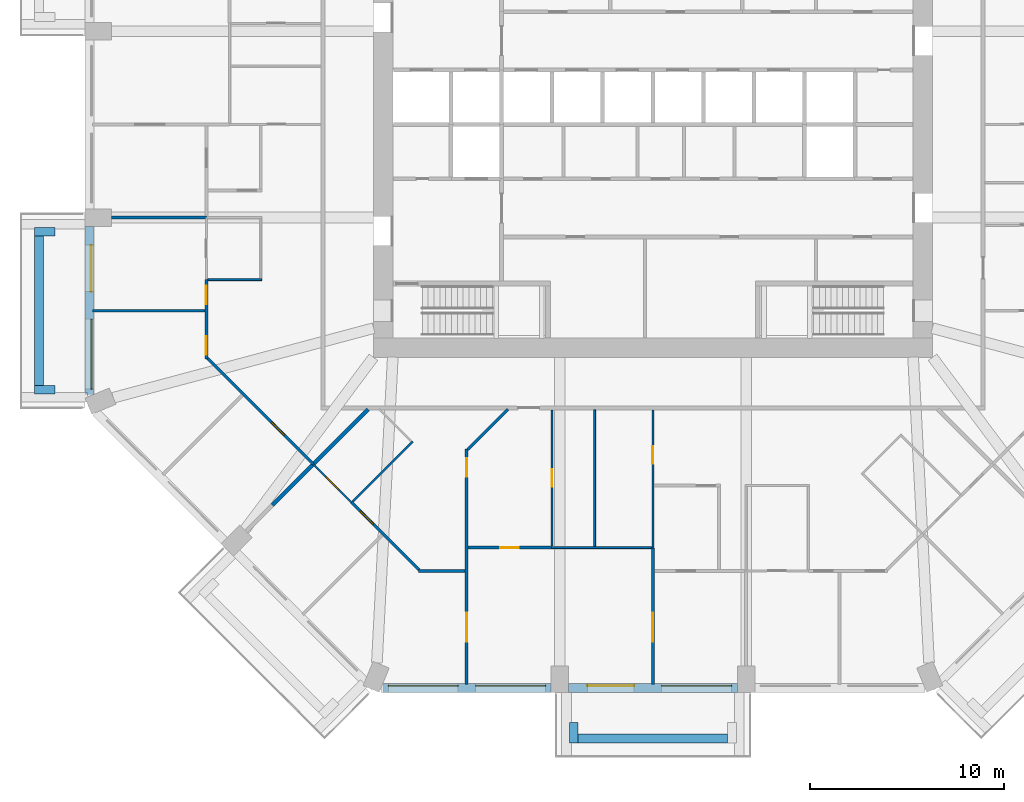
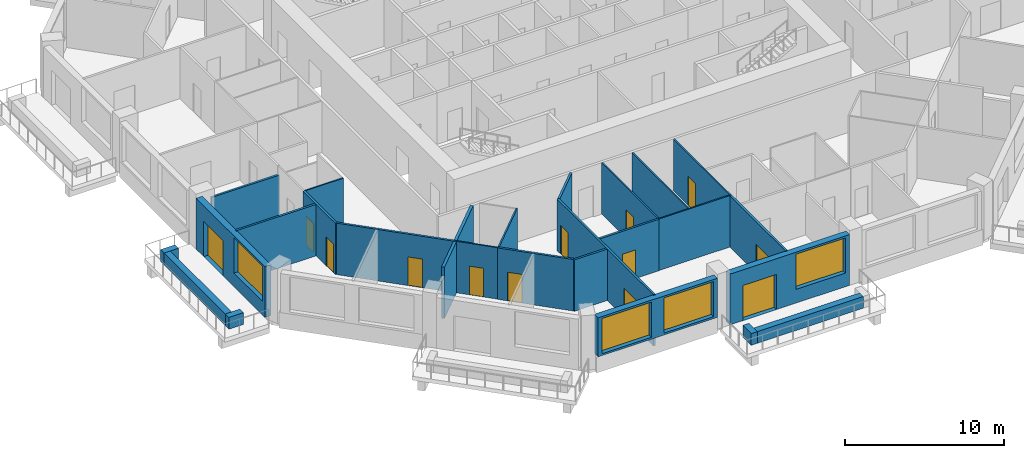
# One storey, part 3 of 13: 26 walls, 13 doors, 4 windows, 17 openings.
"""IFC4 building model written with IfcOpenShell, lengths in metres."""

from ifc_helpers import new_model, si_unit, direction, frame, frame_2d, origin, place, context, subcontext, project, spatial, rectangle, extrude, material, layer, layer_set, type_object, element, fill, save


model = new_model("IFC4")

# Units and contexts
model_context = context("Model", 3, precision=1e-05, world=origin(), true_north=direction((0.0, 1.0)))
body_context = subcontext(model_context, "Body", "Model", "MODEL_VIEW")
ifc_project = project(units=[si_unit("LENGTHUNIT", "METRE"), si_unit("AREAUNIT", "SQUARE_METRE"), si_unit("VOLUMEUNIT", "CUBIC_METRE"), si_unit("PLANEANGLEUNIT", "RADIAN"), si_unit("MASSUNIT", "GRAM", prefix="KILO")], contexts=[model_context])

# Site, building, storey
site_placement = place(None, origin())
site = spatial("IfcSite", under=ifc_project, at=site_placement, CompositionType="ELEMENT")
building_placement = place(site_placement, origin())
building = spatial("IfcBuilding", under=site, at=building_placement, Name="Msitu Wima Residences", CompositionType="ELEMENT")
storey_placement = place(building_placement, frame((0.0, 0.0, 33.89990234375)))
storey = spatial("IfcBuildingStorey", under=building, at=storey_placement, Name="L07", CompositionType="ELEMENT", Elevation=33.89990234375)

# Walls
ifc_material_1 = material(Name="Facing brick")
ifc_layer_1 = layer(ifc_material_1, 0.06494140625, Name="Facing brick")
ifc_material_2 = material(Name="Concrete C40/50", Category="concrete")
ifc_layer_2 = layer(ifc_material_2, 0.156005859375, Name="Concrete C40/50")
ifc_material_3 = material(Name="Waterproofing membrane")
ifc_layer_3 = layer(ifc_material_3, 0.00390625, Name="Waterproofing membrane")
ifc_material_4 = material(Name="Planting soil and planting")
ifc_layer_4 = layer(ifc_material_4, 0.22509765625, Name="Planting soil and planting")
ifc_layer_set_1 = layer_set([ifc_layer_1, ifc_layer_2, ifc_layer_3, ifc_layer_4], Name="Concrete C40/50")
wall_type_1 = type_object("IfcWallType", Name="Balcony planter PLANTER PL450", PredefinedType="USERDEFINED", material=ifc_layer_set_1)
wall_1_placement = place(storey_placement, frame((-31.625, -5.75, 0.0), z_axis=(0.0, 0.0, 1.0), x_axis=(0.0, -1.0, 0.0)))
element("IfcWall", 1, at=wall_1_placement, inside=storey, type_object=wall_type_1, Name="Balcony planter W2 L07", ObjectType="PLANTER", PredefinedType="USERDEFINED", context=body_context, shape_type="SweptSolid", body=[
    extrude(rectangle(XDim=7.699951171875, YDim=0.449951171875, at=frame_2d((3.85009765625, 0.0))), origin(), (0.0, 0.0, 1.0), 0.900146484375),
])
for number, where, z_axis, x_axis, name in (
    (2, (-30.800048828125, -5.52490234375, 0.0), (0.0, 0.0, 1.0), (-1.0, 0.0, 0.0), "Balcony planter W2 L07"),
    (3, (-30.800048828125, -13.675048828125, 0.0), (0.0, 0.0, 1.0), (-1.0, 0.0, 0.0), "Balcony planter W2 L07"),
):
    element("IfcWall", number, at=place(storey_placement, frame(where, z_axis=z_axis, x_axis=x_axis)), inside=storey, type_object=wall_type_1, Name=name, ObjectType="PLANTER", PredefinedType="USERDEFINED", context=body_context, shape_type="SweptSolid", body=[
        extrude(rectangle(XDim=1.050048828125, YDim=0.449951171875, at=frame_2d((0.52490234375, 0.0))), origin(), (0.0, 0.0, 1.0), 0.900146484375),
    ])
wall_2_placement = place(storey_placement, frame((-3.85009765625, -31.625, 0.0), z_axis=(0.0, 0.0, 1.0), x_axis=(1.0, 0.0, 0.0)))
element("IfcWall", 4, at=wall_2_placement, inside=storey, type_object=wall_type_1, Name="Balcony planter S1 L07", ObjectType="PLANTER", PredefinedType="USERDEFINED", context=body_context, shape_type="SweptSolid", body=[
    extrude(rectangle(XDim=7.7001953125, YDim=0.449951171875, at=frame_2d((3.85009765625, 0.0))), origin(), (0.0, 0.0, 1.0), 0.900146484375),
])
wall_3_placement = place(storey_placement, frame((-4.074951171875, -30.800048828125, 0.0), z_axis=(0.0, 0.0, 1.0), x_axis=(0.0, -1.0, 0.0)))
element("IfcWall", 5, at=wall_3_placement, inside=storey, type_object=wall_type_1, Name="Balcony planter S1 L07", ObjectType="PLANTER", PredefinedType="USERDEFINED", context=body_context, shape_type="SweptSolid", body=[
    extrude(rectangle(XDim=1.050048828125, YDim=0.449951171875, at=frame_2d((0.52490234375, 0.0))), origin(), (0.0, 0.0, 1.0), 0.900146484375),
])

# Wall, openings, door, window
ifc_material_5 = material(Name="Brick (red buff mix)", Category="masonry")
ifc_layer_5 = layer(ifc_material_5, 0.449951171875)
ifc_layer_set_2 = layer_set([ifc_layer_5], Name="Brick (red buff mix)")
wall_type_2 = type_object("IfcWallType", Name="Brick infill wall BW450", PredefinedType="SOLIDWALL", material=ifc_layer_set_2)
wall_4_placement = place(storey_placement, frame((-29.02490234375, -5.25, 0.0), z_axis=(0.0, 0.0, 1.0), x_axis=(0.0, -1.0, 0.0)))
wall_4 = element("IfcWall", 6, at=wall_4_placement, inside=storey, type_object=wall_type_2, Name="Brick infill wall L07 W2", PredefinedType="SOLIDWALL", context=body_context, shape_type="SweptSolid", body=[
    extrude(rectangle(XDim=8.662841796875, YDim=0.449951171875, at=frame_2d((4.33154296875, 0.0))), origin(), (0.0, 0.0, 1.0), 3.900146484375),
])
opening_1_placement = place(wall_4_placement, frame((0.9658203125, 0.0, 0.0)))
opening_1 = element("IfcOpeningElement", 7, at=opening_1_placement, cuts=wall_4, Name="Opening D05-07.010", PredefinedType="OPENING", context=body_context, shape_type="SweptSolid", body=[
    extrude(rectangle(XDim=2.39990234375, YDim=2.699951171875, at=frame_2d((1.199951171875, 1.35009765625))), frame((0.0, 0.23486328125, 0.0), z_axis=(0.0, -1.0, 0.0), x_axis=(1.0, 0.0, 0.0)), (0.0, 0.0, 1.0), 0.469970703125),
])
opening_2_placement = place(wall_4_placement, frame((4.781494140625, 0.0, 1.050048828125)))
opening_2 = element("IfcOpeningElement", 8, at=opening_2_placement, cuts=wall_4, Name="Opening W05-07.030", PredefinedType="OPENING", context=body_context, shape_type="SweptSolid", body=[
    extrude(rectangle(XDim=3.60009765625, YDim=2.699951171875, at=frame_2d((1.800048828125, 1.35009765625))), frame((0.0, 0.23486328125, 0.0), z_axis=(0.0, -1.0, 0.0), x_axis=(1.0, 0.0, 0.0)), (0.0, 0.0, 1.0), 0.469970703125),
])
ifc_material_6 = material(Name="Anodised aluminium, bronze finish, clear low-emissivity double glazing", Category="aluminium")
door_type_1 = type_object("IfcDoorType", Name="Balcony door D2400x2700", OperationType="SLIDING_TO_LEFT", PredefinedType="DOOR", material=ifc_material_6)
door_1_placement = place(opening_1_placement, origin())
door_1 = element("IfcDoor", 9, at=door_1_placement, inside=storey, type_object=door_type_1, Name="Balcony door L07 W2", OperationType="SINGLE_SWING_LEFT", OverallHeight=2.699951171875, OverallWidth=2.39990234375, PredefinedType="DOOR", context=body_context, shape_type="SweptSolid", body=[
    extrude(rectangle(XDim=2.39990234375, YDim=2.699951171875, at=frame_2d((1.199951171875, 1.35009765625))), frame((0.0, 0.1298828125, 0.0), z_axis=(0.0, -1.0, 0.0), x_axis=(1.0, 0.0, 0.0)), (0.0, 0.0, 1.0), 0.050048828125),
])
fill(opening_1, door_1)
window_type = type_object("IfcWindowType", Name="Window W3600x2700", PartitioningType="DOUBLE_PANEL_VERTICAL", PredefinedType="WINDOW", material=ifc_material_6)
window_1_placement = place(opening_2_placement, origin())
window_1 = element("IfcWindow", 10, at=window_1_placement, inside=storey, type_object=window_type, Name="Window L07 W2.2", OverallHeight=2.699951171875, OverallWidth=3.60009765625, PartitioningType="SINGLE_PANEL", PredefinedType="WINDOW", context=body_context, shape_type="SweptSolid", body=[
    extrude(rectangle(XDim=3.60009765625, YDim=2.699951171875, at=frame_2d((1.800048828125, 1.35009765625))), frame((0.0, 0.135009765625, 0.0), z_axis=(0.0, -1.0, 0.0), x_axis=(1.0, 0.0, 0.0)), (0.0, 0.0, 1.0), 0.06005859375),
])
fill(opening_2, window_1)

# Wall, openings, windows
wall_5_placement = place(storey_placement, frame((-13.912841796875, -29.02490234375, 0.900146484375), z_axis=(0.0, 0.0, 1.0), x_axis=(1.0, 0.0, 0.0)))
wall_5 = element("IfcWall", 11, at=wall_5_placement, inside=storey, type_object=wall_type_2, Name="Brick infill wall L07 S0", PredefinedType="SOLIDWALL", context=body_context, shape_type="SweptSolid", body=[
    extrude(rectangle(XDim=8.662841796875, YDim=0.449951171875, at=frame_2d((4.33154296875, 0.0))), origin(), (0.0, 0.0, 1.0), 3.0),
])
opening_3_placement = place(wall_5_placement, frame((0.281494140625, 0.0, 0.14990234375)))
opening_3 = element("IfcOpeningElement", 12, at=opening_3_placement, cuts=wall_5, Name="Opening W05-07.016", PredefinedType="OPENING", context=body_context, shape_type="SweptSolid", body=[
    extrude(rectangle(XDim=3.60009765625, YDim=2.699951171875, at=frame_2d((1.800048828125, 1.35009765625))), frame((0.0, 0.23486328125, 0.0), z_axis=(0.0, -1.0, 0.0), x_axis=(1.0, 0.0, 0.0)), (0.0, 0.0, 1.0), 0.469970703125),
])
opening_4_placement = place(wall_5_placement, frame((4.781494140625, 0.0, 0.14990234375)))
opening_4 = element("IfcOpeningElement", 13, at=opening_4_placement, cuts=wall_5, Name="Opening W05-07.017", PredefinedType="OPENING", context=body_context, shape_type="SweptSolid", body=[
    extrude(rectangle(XDim=3.60009765625, YDim=2.699951171875, at=frame_2d((1.800048828125, 1.35009765625))), frame((0.0, 0.23486328125, 0.0), z_axis=(0.0, -1.0, 0.0), x_axis=(1.0, 0.0, 0.0)), (0.0, 0.0, 1.0), 0.469970703125),
])
window_2_placement = place(opening_3_placement, origin())
window_2 = element("IfcWindow", 14, at=window_2_placement, inside=storey, type_object=window_type, Name="Window L07 S0.1", OverallHeight=2.699951171875, OverallWidth=3.60009765625, PartitioningType="SINGLE_PANEL", PredefinedType="WINDOW", context=body_context, shape_type="SweptSolid", body=[
    extrude(rectangle(XDim=3.60009765625, YDim=2.699951171875, at=frame_2d((1.800048828125, 1.35009765625))), frame((0.0, 0.135009765625, 0.0), z_axis=(0.0, -1.0, 0.0), x_axis=(1.0, 0.0, 0.0)), (0.0, 0.0, 1.0), 0.06005859375),
])
fill(opening_3, window_2)
window_3_placement = place(opening_4_placement, origin())
window_3 = element("IfcWindow", 15, at=window_3_placement, inside=storey, type_object=window_type, Name="Window L07 S0.2", OverallHeight=2.699951171875, OverallWidth=3.60009765625, PartitioningType="SINGLE_PANEL", PredefinedType="WINDOW", context=body_context, shape_type="SweptSolid", body=[
    extrude(rectangle(XDim=3.60009765625, YDim=2.699951171875, at=frame_2d((1.800048828125, 1.35009765625))), frame((0.0, 0.135009765625, 0.0), z_axis=(0.0, -1.0, 0.0), x_axis=(1.0, 0.0, 0.0)), (0.0, 0.0, 1.0), 0.06005859375),
])
fill(opening_4, window_3)

# Wall, openings, door, window
wall_6_placement = place(storey_placement, frame((-4.35009765625, -29.02490234375, 0.0), z_axis=(0.0, 0.0, 1.0), x_axis=(1.0, 0.0, 0.0)))
wall_6 = element("IfcWall", 16, at=wall_6_placement, inside=storey, type_object=wall_type_2, Name="Brick infill wall L07 S1", PredefinedType="SOLIDWALL", context=body_context, shape_type="SweptSolid", body=[
    extrude(rectangle(XDim=8.7001953125, YDim=0.449951171875, at=frame_2d((4.35009765625, 0.0))), origin(), (0.0, 0.0, 1.0), 3.900146484375),
])
opening_5_placement = place(wall_6_placement, frame((0.97509765625, 0.0, 0.0)))
opening_5 = element("IfcOpeningElement", 17, at=opening_5_placement, cuts=wall_6, Name="Opening D05-07.006", PredefinedType="OPENING", context=body_context, shape_type="SweptSolid", body=[
    extrude(rectangle(XDim=2.39990234375, YDim=2.699951171875, at=frame_2d((1.199951171875, 1.35009765625))), frame((0.0, 0.23486328125, 0.0), z_axis=(0.0, -1.0, 0.0), x_axis=(1.0, 0.0, 0.0)), (0.0, 0.0, 1.0), 0.469970703125),
])
opening_6_placement = place(wall_6_placement, frame((4.800048828125, 0.0, 1.050048828125)))
opening_6 = element("IfcOpeningElement", 18, at=opening_6_placement, cuts=wall_6, Name="Opening W05-07.018", PredefinedType="OPENING", context=body_context, shape_type="SweptSolid", body=[
    extrude(rectangle(XDim=3.60009765625, YDim=2.699951171875, at=frame_2d((1.800048828125, 1.35009765625))), frame((0.0, 0.23486328125, 0.0), z_axis=(0.0, -1.0, 0.0), x_axis=(1.0, 0.0, 0.0)), (0.0, 0.0, 1.0), 0.469970703125),
])
door_2_placement = place(opening_5_placement, origin())
door_2 = element("IfcDoor", 19, at=door_2_placement, inside=storey, type_object=door_type_1, Name="Balcony door L07 S1", OperationType="SINGLE_SWING_LEFT", OverallHeight=2.699951171875, OverallWidth=2.39990234375, PredefinedType="DOOR", context=body_context, shape_type="SweptSolid", body=[
    extrude(rectangle(XDim=2.39990234375, YDim=2.699951171875, at=frame_2d((1.199951171875, 1.35009765625))), frame((0.0, 0.1298828125, 0.0), z_axis=(0.0, -1.0, 0.0), x_axis=(1.0, 0.0, 0.0)), (0.0, 0.0, 1.0), 0.050048828125),
])
fill(opening_5, door_2)
window_4_placement = place(opening_6_placement, origin())
window_4 = element("IfcWindow", 20, at=window_4_placement, inside=storey, type_object=window_type, Name="Window L07 S1.2", OverallHeight=2.699951171875, OverallWidth=3.60009765625, PartitioningType="SINGLE_PANEL", PredefinedType="WINDOW", context=body_context, shape_type="SweptSolid", body=[
    extrude(rectangle(XDim=3.60009765625, YDim=2.699951171875, at=frame_2d((1.800048828125, 1.35009765625))), frame((0.0, 0.135009765625, 0.0), z_axis=(0.0, -1.0, 0.0), x_axis=(1.0, 0.0, 0.0)), (0.0, 0.0, 1.0), 0.06005859375),
])
fill(opening_6, window_4)

# Walls
ifc_material_7 = material(Name="Plaster")
ifc_layer_6 = layer(ifc_material_7, 0.011962890625, Name="Plaster")
ifc_material_8 = material(Name="Concrete blockwork", Category="masonry")
ifc_layer_7 = layer(ifc_material_8, 0.1259765625, Name="Concrete blockwork")
ifc_layer_8 = layer(ifc_material_7, 0.011962890625, Name="Plaster")
ifc_layer_set_3 = layer_set([ifc_layer_6, ifc_layer_7, ifc_layer_8], Name="Concrete blockwork")
wall_type_3 = type_object("IfcWallType", Name="Partition PW150", PredefinedType="PARTITIONING", material=ifc_layer_set_3)
wall_7_placement = place(storey_placement, frame((-28.85498046875, -9.60009765625, 0.0), z_axis=(0.0, 0.0, 1.0), x_axis=(1.0, 0.0, 0.0)))
element("IfcWall", 21, at=wall_7_placement, inside=storey, type_object=wall_type_3, Name="Partition", PredefinedType="PARTITIONING", context=body_context, shape_type="SweptSolid", body=[
    extrude(rectangle(XDim=5.780029296875, YDim=0.14990234375, at=frame_2d((2.89013671875, 0.0))), origin(), (0.0, 0.0, 1.0), 3.9501953125),
])
wall_8_placement = place(storey_placement, frame((-27.89990234375, -4.800048828125, 0.0), z_axis=(0.0, 0.0, 1.0), x_axis=(1.0, 0.0, 0.0)))
element("IfcWall", 22, at=wall_8_placement, inside=storey, type_object=wall_type_3, Name="Partition", PredefinedType="PARTITIONING", context=body_context, shape_type="SweptSolid", body=[
    extrude(rectangle(XDim=4.919921875, YDim=0.14990234375, at=frame_2d((2.4599609375, 0.0))), origin(), (0.0, 0.0, 1.0), 3.25),
])

# Wall, openings, doors
wall_9_placement = place(storey_placement, frame((-23.0, -12.072509765625, 0.0), z_axis=(0.0, 0.0, 1.0), x_axis=(0.0, 1.0, 0.0)))
wall_9 = element("IfcWall", 23, at=wall_9_placement, inside=storey, type_object=wall_type_3, Name="Partition", PredefinedType="PARTITIONING", context=body_context, shape_type="SweptSolid", body=[
    extrude(rectangle(XDim=4.072509765625, YDim=0.14990234375, at=frame_2d((2.0361328125, 0.0))), origin(), (0.0, 0.0, 1.0), 3.9501953125),
])
opening_7_placement = place(wall_9_placement, frame((2.800048828125, 0.0, 0.0)))
opening_7 = element("IfcOpeningElement", 24, at=opening_7_placement, cuts=wall_9, Name="Opening D05-07.073", PredefinedType="OPENING", context=body_context, shape_type="SweptSolid", body=[
    extrude(rectangle(XDim=0.949951171875, YDim=2.199951171875, at=frame_2d((0.47509765625, 1.10009765625))), frame((0.0, 0.0849609375, 0.0), z_axis=(0.0, -1.0, 0.0), x_axis=(1.0, 0.0, 0.0)), (0.0, 0.0, 1.0), 0.169921875),
])
opening_8_placement = place(wall_9_placement, frame((0.199951171875, 0.0, 0.0)))
opening_8 = element("IfcOpeningElement", 25, at=opening_8_placement, cuts=wall_9, Name="Opening D05-07.077", PredefinedType="OPENING", context=body_context, shape_type="SweptSolid", body=[
    extrude(rectangle(XDim=0.949951171875, YDim=2.199951171875, at=frame_2d((0.47509765625, 1.10009765625))), frame((0.0, 0.0849609375, 0.0), z_axis=(0.0, -1.0, 0.0), x_axis=(1.0, 0.0, 0.0)), (0.0, 0.0, 1.0), 0.169921875),
])
ifc_material_9 = material(Name="Timber flush door", Category="wood")
door_type_2 = type_object("IfcDoorType", Name="Room door D12 950x2200", OperationType="SINGLE_SWING_LEFT", PredefinedType="DOOR", material=ifc_material_9)
door_3_placement = place(opening_7_placement, origin())
door_3 = element("IfcDoor", 26, at=door_3_placement, inside=storey, type_object=door_type_2, Name="Room door", OperationType="SINGLE_SWING_LEFT", OverallHeight=2.199951171875, OverallWidth=0.949951171875, PredefinedType="DOOR", context=body_context, shape_type="SweptSolid", body=[
    extrude(rectangle(XDim=0.949951171875, YDim=2.199951171875, at=frame_2d((0.47509765625, 1.10009765625))), frame((0.0, 0.02490234375, 0.0), z_axis=(0.0, -1.0, 0.0), x_axis=(1.0, 0.0, 0.0)), (0.0, 0.0, 1.0), 0.050048828125),
])
fill(opening_7, door_3)
door_4_placement = place(opening_8_placement, origin())
door_4 = element("IfcDoor", 27, at=door_4_placement, inside=storey, type_object=door_type_2, Name="Room door", OperationType="SINGLE_SWING_RIGHT", OverallHeight=2.199951171875, OverallWidth=0.949951171875, PredefinedType="DOOR", context=body_context, shape_type="SweptSolid", body=[
    extrude(rectangle(XDim=0.949951171875, YDim=2.199951171875, at=frame_2d((0.47509765625, 1.10009765625))), frame((0.0, 0.02490234375, 0.0), z_axis=(0.0, -1.0, 0.0), x_axis=(1.0, 0.0, 0.0)), (0.0, 0.0, 1.0), 0.050048828125),
])
fill(opening_8, door_4)

# Wall, opening, door
wall_10_placement = place(storey_placement, frame((-22.947021484375, -12.050537109375, 0.0), z_axis=(0.0, 0.0, 1.0), x_axis=(0.707106781187, -0.707106781187, 0.0)))
wall_10 = element("IfcWall", 28, at=wall_10_placement, inside=storey, type_object=wall_type_3, Name="Partition", PredefinedType="PARTITIONING", context=body_context, shape_type="SweptSolid", body=[
    extrude(rectangle(XDim=7.705078125, YDim=0.14990234375, at=frame_2d((3.8525390625, 0.0))), origin(), (0.0, 0.0, 1.0), 3.9501953125),
])
opening_9_placement = place(wall_10_placement, frame((4.64990234375, 0.0, 0.0)))
opening_9 = element("IfcOpeningElement", 29, at=opening_9_placement, cuts=wall_10, Name="Opening D05-07.072", PredefinedType="OPENING", context=body_context, shape_type="SweptSolid", body=[
    extrude(rectangle(XDim=0.949951171875, YDim=2.199951171875, at=frame_2d((0.47509765625, 1.10009765625))), frame((0.0, 0.0849609375, 0.0), z_axis=(0.0, -1.0, 0.0), x_axis=(1.0, 0.0, 0.0)), (0.0, 0.0, 1.0), 0.169921875),
])
door_5_placement = place(opening_9_placement, origin())
door_5 = element("IfcDoor", 30, at=door_5_placement, inside=storey, type_object=door_type_2, Name="Room door", OperationType="SINGLE_SWING_RIGHT", OverallHeight=2.199951171875, OverallWidth=0.949951171875, PredefinedType="DOOR", context=body_context, shape_type="SweptSolid", body=[
    extrude(rectangle(XDim=0.949951171875, YDim=2.199951171875, at=frame_2d((0.47509765625, 1.10009765625))), frame((0.0, 0.02490234375, 0.0), z_axis=(0.0, -1.0, 0.0), x_axis=(1.0, 0.0, 0.0)), (0.0, 0.0, 1.0), 0.050048828125),
])
fill(opening_9, door_5)

wall_11_placement = place(storey_placement, frame((-15.532958984375, -19.464599609375, 0.0), z_axis=(0.0, 0.0, 1.0), x_axis=(0.707106781187, -0.707106781187, 0.0)))
wall_11 = element("IfcWall", 31, at=wall_11_placement, inside=storey, type_object=wall_type_3, Name="Partition", PredefinedType="PARTITIONING", context=body_context, shape_type="SweptSolid", body=[
    extrude(rectangle(XDim=4.9248046875, YDim=0.14990234375, at=frame_2d((2.46240234375, 0.0))), origin(), (0.0, 0.0, 1.0), 3.9501953125),
])
opening_10_placement = place(wall_11_placement, frame((0.64990234375, 0.0, 0.0)))
opening_10 = element("IfcOpeningElement", 32, at=opening_10_placement, cuts=wall_11, Name="Opening D05-07.082", PredefinedType="OPENING", context=body_context, shape_type="SweptSolid", body=[
    extrude(rectangle(XDim=0.949951171875, YDim=2.199951171875, at=frame_2d((0.47509765625, 1.10009765625))), frame((0.0, 0.0849609375, 0.0), z_axis=(0.0, -1.0, 0.0), x_axis=(1.0, 0.0, 0.0)), (0.0, 0.0, 1.0), 0.169921875),
])
door_6_placement = place(opening_10_placement, origin())
door_6 = element("IfcDoor", 33, at=door_6_placement, inside=storey, type_object=door_type_2, Name="Room door", OperationType="SINGLE_SWING_LEFT", OverallHeight=2.199951171875, OverallWidth=0.949951171875, PredefinedType="DOOR", context=body_context, shape_type="SweptSolid", body=[
    extrude(rectangle(XDim=0.949951171875, YDim=2.199951171875, at=frame_2d((0.47509765625, 1.10009765625))), frame((0.0, 0.02490234375, 0.0), z_axis=(0.0, -1.0, 0.0), x_axis=(1.0, 0.0, 0.0)), (0.0, 0.0, 1.0), 0.050048828125),
])
fill(opening_10, door_6)

# Wall
wall_12_placement = place(storey_placement, frame((-12.072509765625, -23.0, 0.0), z_axis=(0.0, 0.0, 1.0), x_axis=(1.0, 0.0, 0.0)))
element("IfcWall", 34, at=wall_12_placement, inside=storey, type_object=wall_type_3, Name="Partition", PredefinedType="PARTITIONING", context=body_context, shape_type="SweptSolid", body=[
    extrude(rectangle(XDim=2.3974609375, YDim=0.14990234375, at=frame_2d((1.19873046875, 0.0))), origin(), (0.0, 0.0, 1.0), 3.9501953125),
])

# Wall, openings, doors
wall_13_placement = place(storey_placement, frame((-9.60009765625, -28.85498046875, 0.0), z_axis=(0.0, 0.0, 1.0), x_axis=(0.0, 1.0, 0.0)))
wall_13 = element("IfcWall", 35, at=wall_13_placement, inside=storey, type_object=wall_type_3, Name="Partition", PredefinedType="PARTITIONING", context=body_context, shape_type="SweptSolid", body=[
    extrude(rectangle(XDim=12.1298828125, YDim=0.14990234375, at=frame_2d((6.06494140625, 0.0))), origin(), (0.0, 0.0, 1.0), 3.9501953125),
])
opening_11_placement = place(wall_13_placement, frame((10.699951171875, 0.0, 0.0)))
opening_11 = element("IfcOpeningElement", 36, at=opening_11_placement, cuts=wall_13, Name="Opening D05-07.078", PredefinedType="OPENING", context=body_context, shape_type="SweptSolid", body=[
    extrude(rectangle(XDim=0.949951171875, YDim=2.199951171875, at=frame_2d((0.47509765625, 1.10009765625))), frame((0.0, 0.0849609375, 0.0), z_axis=(0.0, -1.0, 0.0), x_axis=(1.0, 0.0, 0.0)), (0.0, 0.0, 1.0), 0.169921875),
])
opening_12_placement = place(wall_13_placement, frame((2.199951171875, 0.0, 0.0)))
opening_12 = element("IfcOpeningElement", 37, at=opening_12_placement, cuts=wall_13, Name="Opening D05-07.085", PredefinedType="OPENING", context=body_context, shape_type="SweptSolid", body=[
    extrude(rectangle(XDim=1.5, YDim=2.199951171875, at=frame_2d((0.75, 1.10009765625))), frame((0.0, 0.0849609375, 0.0), z_axis=(0.0, -1.0, 0.0), x_axis=(1.0, 0.0, 0.0)), (0.0, 0.0, 1.0), 0.169921875),
])
ifc_material_10 = material(Name="Timber double door", Category="wood")
door_type_3 = type_object("IfcDoorType", Name="Double door D04 1500x2200", OperationType="DOUBLE_DOOR_SINGLE_SWING", PredefinedType="DOOR", material=ifc_material_10)
door_7_placement = place(opening_12_placement, origin())
door_7 = element("IfcDoor", 38, at=door_7_placement, inside=storey, type_object=door_type_3, Name="Double door", OperationType="DOUBLE_DOOR_SINGLE_SWING", OverallHeight=2.199951171875, OverallWidth=1.5, PredefinedType="DOOR", context=body_context, shape_type="SweptSolid", body=[
    extrude(rectangle(XDim=1.5, YDim=2.199951171875, at=frame_2d((0.75, 1.10009765625))), frame((0.0, 0.02490234375, 0.0), z_axis=(0.0, -1.0, 0.0), x_axis=(1.0, 0.0, 0.0)), (0.0, 0.0, 1.0), 0.050048828125),
])
fill(opening_12, door_7)
door_8_placement = place(opening_11_placement, origin())
door_8 = element("IfcDoor", 39, at=door_8_placement, inside=storey, type_object=door_type_2, Name="Room door", OperationType="SINGLE_SWING_RIGHT", OverallHeight=2.199951171875, OverallWidth=0.949951171875, PredefinedType="DOOR", context=body_context, shape_type="SweptSolid", body=[
    extrude(rectangle(XDim=0.949951171875, YDim=2.199951171875, at=frame_2d((0.47509765625, 1.10009765625))), frame((0.0, 0.02490234375, 0.0), z_axis=(0.0, -1.0, 0.0), x_axis=(1.0, 0.0, 0.0)), (0.0, 0.0, 1.0), 0.050048828125),
])
fill(opening_11, door_8)

# Wall, opening, door
wall_14_placement = place(storey_placement, frame((-9.52490234375, -21.800048828125, 0.0), z_axis=(0.0, 0.0, 1.0), x_axis=(1.0, 0.0, 0.0)))
wall_14 = element("IfcWall", 40, at=wall_14_placement, inside=storey, type_object=wall_type_3, Name="Partition", PredefinedType="PARTITIONING", context=body_context, shape_type="SweptSolid", body=[
    extrude(rectangle(XDim=4.304931640625, YDim=0.14990234375, at=frame_2d((2.15234375, 0.0))), origin(), (0.0, 0.0, 1.0), 3.9501953125),
])
opening_13_placement = place(wall_14_placement, frame((1.64990234375, 0.0, 0.0)))
opening_13 = element("IfcOpeningElement", 41, at=opening_13_placement, cuts=wall_14, Name="Opening D05-07.079", PredefinedType="OPENING", context=body_context, shape_type="SweptSolid", body=[
    extrude(rectangle(XDim=0.949951171875, YDim=2.199951171875, at=frame_2d((0.47509765625, 1.10009765625))), frame((0.0, 0.0849609375, 0.0), z_axis=(0.0, -1.0, 0.0), x_axis=(1.0, 0.0, 0.0)), (0.0, 0.0, 1.0), 0.169921875),
])
door_9_placement = place(opening_13_placement, origin())
door_9 = element("IfcDoor", 42, at=door_9_placement, inside=storey, type_object=door_type_2, Name="Room door", OperationType="SINGLE_SWING_RIGHT", OverallHeight=2.199951171875, OverallWidth=0.949951171875, PredefinedType="DOOR", context=body_context, shape_type="SweptSolid", body=[
    extrude(rectangle(XDim=0.949951171875, YDim=2.199951171875, at=frame_2d((0.47509765625, 1.10009765625))), frame((0.0, 0.02490234375, 0.0), z_axis=(0.0, -1.0, 0.0), x_axis=(1.0, 0.0, 0.0)), (0.0, 0.0, 1.0), 0.050048828125),
])
fill(opening_13, door_9)

# Wall
wall_15_placement = place(storey_placement, frame((-9.546875, -16.7470703125, 0.0), z_axis=(0.0, 0.0, 1.0), x_axis=(0.707065207457, 0.707148352472, 0.0)))
element("IfcWall", 43, at=wall_15_placement, inside=storey, type_object=wall_type_3, Name="Partition", PredefinedType="PARTITIONING", context=body_context, shape_type="SweptSolid", body=[
    extrude(rectangle(XDim=2.936279296875, YDim=0.14990234375, at=frame_2d((1.46826171875, 0.0))), origin(), (0.0, 0.0, 1.0), 3.9501953125),
])

# Wall, opening, door
wall_16_placement = place(storey_placement, frame((0.0, -28.85498046875, 0.0), z_axis=(0.0, 0.0, 1.0), x_axis=(0.0, 1.0, 0.0)))
wall_16 = element("IfcWall", 44, at=wall_16_placement, inside=storey, type_object=wall_type_3, Name="Partition", PredefinedType="PARTITIONING", context=body_context, shape_type="SweptSolid", body=[
    extrude(rectangle(XDim=7.034912109375, YDim=0.14990234375, at=frame_2d((3.517578125, 0.0))), origin(), (0.0, 0.0, 1.0), 3.9501953125),
])
opening_14_placement = place(wall_16_placement, frame((2.199951171875, 0.0, 0.0)))
opening_14 = element("IfcOpeningElement", 45, at=opening_14_placement, cuts=wall_16, Name="Opening D05-07.080", PredefinedType="OPENING", context=body_context, shape_type="SweptSolid", body=[
    extrude(rectangle(XDim=1.5, YDim=2.199951171875, at=frame_2d((0.75, 1.10009765625))), frame((0.0, 0.0849609375, 0.0), z_axis=(0.0, -1.0, 0.0), x_axis=(1.0, 0.0, 0.0)), (0.0, 0.0, 1.0), 0.169921875),
])
door_10_placement = place(opening_14_placement, origin())
door_10 = element("IfcDoor", 46, at=door_10_placement, inside=storey, type_object=door_type_3, Name="Double door", OperationType="DOUBLE_DOOR_SINGLE_SWING", OverallHeight=2.199951171875, OverallWidth=1.5, PredefinedType="DOOR", context=body_context, shape_type="SweptSolid", body=[
    extrude(rectangle(XDim=1.5, YDim=2.199951171875, at=frame_2d((0.75, 1.10009765625))), frame((0.0, 0.02490234375, 0.0), z_axis=(0.0, -1.0, 0.0), x_axis=(1.0, 0.0, 0.0)), (0.0, 0.0, 1.0), 0.050048828125),
])
fill(opening_14, door_10)

# Walls
ifc_layer_9 = layer(ifc_material_7, 0.011962890625, Name="Plaster")
ifc_material_11 = material(Name="Dense concrete blockwork", Category="masonry")
ifc_layer_10 = layer(ifc_material_11, 0.176025390625, Name="Dense concrete blockwork")
ifc_layer_11 = layer(ifc_material_7, 0.011962890625, Name="Plaster")
ifc_layer_set_4 = layer_set([ifc_layer_9, ifc_layer_10, ifc_layer_11], Name="Dense concrete blockwork")
wall_type_4 = type_object("IfcWallType", Name="Party wall PW200", PredefinedType="PARTITIONING", material=ifc_layer_set_4)
wall_17_placement = place(storey_placement, frame((-19.605712890625, -19.605712890625, 0.0), z_axis=(0.0, 0.0, 1.0), x_axis=(0.707106781187, 0.707106781187, 0.0)))
element("IfcWall", 47, at=wall_17_placement, inside=storey, type_object=wall_type_4, Name="Party wall", PredefinedType="PARTITIONING", context=body_context, shape_type="SweptSolid", body=[
    extrude(rectangle(XDim=6.979248046875, YDim=0.199951171875, at=frame_2d((3.48974609375, 0.0))), origin(), (0.0, 0.0, 1.0), 3.9501953125),
])
ifc_material_12 = material(Name="Ceramic tiles")
ifc_layer_12 = layer(ifc_material_12, 0.008056640625, Name="Ceramic tiles")
ifc_material_13 = material(Name="Moisture-resistant board")
ifc_layer_13 = layer(ifc_material_13, 0.012451171875, Name="Moisture-resistant board")
ifc_material_14 = material(Name="Light-gauge stud framing with mineral wool")
ifc_layer_14 = layer(ifc_material_14, 0.06689453125, Name="Light-gauge stud framing with mineral wool")
ifc_layer_15 = layer(ifc_material_13, 0.012451171875, Name="Moisture-resistant board")
ifc_layer_set_5 = layer_set([ifc_layer_12, ifc_layer_13, ifc_layer_14, ifc_layer_15], Name="Light-gauge stud framing with mineral wool")
wall_type_5 = type_object("IfcWallType", Name="Wet wall PW100", PredefinedType="PARTITIONING", material=ifc_layer_set_5)
wall_18_placement = place(storey_placement, frame((-22.925048828125, -8.0, 0.0), z_axis=(0.0, 0.0, 1.0), x_axis=(1.0, 0.0, 0.0)))
element("IfcWall", 48, at=wall_18_placement, inside=storey, type_object=wall_type_5, Name="Wet wall", PredefinedType="PARTITIONING", context=body_context, shape_type="SweptSolid", body=[
    extrude(rectangle(XDim=2.775146484375, YDim=0.10009765625, at=frame_2d((1.3876953125, 0.0))), origin(), (0.0, 0.0, 1.0), 3.9501953125),
])

# Wall, opening, door
wall_19_placement = place(storey_placement, frame((-17.498779296875, -17.498779296875, 0.0), z_axis=(0.0, 0.0, 1.0), x_axis=(0.707106781187, -0.707106781187, 0.0)))
wall_19 = element("IfcWall", 49, at=wall_19_placement, inside=storey, type_object=wall_type_5, Name="Wet wall", PredefinedType="PARTITIONING", context=body_context, shape_type="SweptSolid", body=[
    extrude(rectangle(XDim=2.780029296875, YDim=0.10009765625, at=frame_2d((1.39013671875, 0.0))), origin(), (0.0, 0.0, 1.0), 3.9501953125),
])
opening_15_placement = place(wall_19_placement, frame((0.949951171875, 0.0, 0.0)))
opening_15 = element("IfcOpeningElement", 50, at=opening_15_placement, cuts=wall_19, Name="Opening D05-07.083", PredefinedType="OPENING", context=body_context, shape_type="SweptSolid", body=[
    extrude(rectangle(XDim=0.89990234375, YDim=2.199951171875, at=frame_2d((0.449951171875, 1.10009765625))), frame((0.0, 0.06005859375, 0.0), z_axis=(0.0, -1.0, 0.0), x_axis=(1.0, 0.0, 0.0)), (0.0, 0.0, 1.0), 0.1201171875),
])
ifc_material_15 = material(Name="Timber flush door, moisture resistant", Category="wood")
door_type_4 = type_object("IfcDoorType", Name="Bathroom door D03 900x2200", OperationType="SINGLE_SWING_LEFT", PredefinedType="DOOR", material=ifc_material_15)
door_11_placement = place(opening_15_placement, origin())
door_11 = element("IfcDoor", 51, at=door_11_placement, inside=storey, type_object=door_type_4, Name="Bathroom door", OperationType="SINGLE_SWING_LEFT", OverallHeight=2.199951171875, OverallWidth=0.89990234375, PredefinedType="DOOR", context=body_context, shape_type="SweptSolid", body=[
    extrude(rectangle(XDim=0.89990234375, YDim=2.199951171875, at=frame_2d((0.449951171875, 1.10009765625))), frame((0.0, 0.02490234375, 0.0), z_axis=(0.0, -1.0, 0.0), x_axis=(1.0, 0.0, 0.0)), (0.0, 0.0, 1.0), 0.050048828125),
])
fill(opening_15, door_11)

# Walls
wall_20_placement = place(storey_placement, frame((-15.4658203125, -19.425537109375, 0.0), z_axis=(0.0, 0.0, 1.0), x_axis=(0.707106781187, 0.707106781187, 0.0)))
element("IfcWall", 52, at=wall_20_placement, inside=storey, type_object=wall_type_5, Name="Wet wall", PredefinedType="PARTITIONING", context=body_context, shape_type="SweptSolid", body=[
    extrude(rectangle(XDim=4.375, YDim=0.10009765625, at=frame_2d((2.1875, 0.0))), origin(), (0.0, 0.0, 1.0), 3.9501953125),
])
wall_21_placement = place(storey_placement, frame((-5.219970703125, -21.800048828125, 0.0), z_axis=(0.0, 0.0, 1.0), x_axis=(1.0, 0.0, 0.0)))
element("IfcWall", 53, at=wall_21_placement, inside=storey, type_object=wall_type_5, Name="Wet wall", PredefinedType="PARTITIONING", context=body_context, shape_type="SweptSolid", body=[
    extrude(rectangle(XDim=5.14501953125, YDim=0.10009765625, at=frame_2d((2.572509765625, 0.0))), origin(), (0.0, 0.0, 1.0), 3.9501953125),
])

# Wall, opening, door
wall_22_placement = place(storey_placement, frame((-5.199951171875, -21.72509765625, 0.0), z_axis=(0.0, 0.0, 1.0), x_axis=(0.0, 1.0, 0.0)))
wall_22 = element("IfcWall", 54, at=wall_22_placement, inside=storey, type_object=wall_type_5, Name="Wet wall", PredefinedType="PARTITIONING", context=body_context, shape_type="SweptSolid", body=[
    extrude(rectangle(XDim=7.025146484375, YDim=0.10009765625, at=frame_2d((3.5126953125, 0.0))), origin(), (0.0, 0.0, 1.0), 3.9501953125),
])
opening_16_placement = place(wall_22_placement, frame((3.050048828125, 0.0, 0.0)))
opening_16 = element("IfcOpeningElement", 55, at=opening_16_placement, cuts=wall_22, Name="Opening D05-07.081", PredefinedType="OPENING", context=body_context, shape_type="SweptSolid", body=[
    extrude(rectangle(XDim=0.89990234375, YDim=2.199951171875, at=frame_2d((0.449951171875, 1.10009765625))), frame((0.0, 0.06005859375, 0.0), z_axis=(0.0, -1.0, 0.0), x_axis=(1.0, 0.0, 0.0)), (0.0, 0.0, 1.0), 0.1201171875),
])
door_12_placement = place(opening_16_placement, origin())
door_12 = element("IfcDoor", 56, at=door_12_placement, inside=storey, type_object=door_type_4, Name="Bathroom door", OperationType="SINGLE_SWING_RIGHT", OverallHeight=2.199951171875, OverallWidth=0.89990234375, PredefinedType="DOOR", context=body_context, shape_type="SweptSolid", body=[
    extrude(rectangle(XDim=0.89990234375, YDim=2.199951171875, at=frame_2d((0.449951171875, 1.10009765625))), frame((0.0, 0.02490234375, 0.0), z_axis=(0.0, -1.0, 0.0), x_axis=(1.0, 0.0, 0.0)), (0.0, 0.0, 1.0), 0.050048828125),
])
fill(opening_16, door_12)

# Wall
wall_23_placement = place(storey_placement, frame((-3.0, -21.75, 0.0), z_axis=(0.0, 0.0, 1.0), x_axis=(0.0, 1.0, 0.0)))
element("IfcWall", 57, at=wall_23_placement, inside=storey, type_object=wall_type_5, Name="Wet wall", PredefinedType="PARTITIONING", context=body_context, shape_type="SweptSolid", body=[
    extrude(rectangle(XDim=7.050048828125, YDim=0.10009765625, at=frame_2d((3.52490234375, 0.0))), origin(), (0.0, 0.0, 1.0), 3.9501953125),
])

# Wall, opening, door
wall_24_placement = place(storey_placement, frame((0.0, -21.820068359375, 0.0), z_axis=(0.0, 0.0, 1.0), x_axis=(0.0, 1.0, 0.0)))
wall_24 = element("IfcWall", 58, at=wall_24_placement, inside=storey, type_object=wall_type_5, Name="Wet wall", PredefinedType="PARTITIONING", context=body_context, shape_type="SweptSolid", body=[
    extrude(rectangle(XDim=7.1201171875, YDim=0.10009765625, at=frame_2d((3.56005859375, 0.0))), origin(), (0.0, 0.0, 1.0), 3.9501953125),
])
opening_17_placement = place(wall_24_placement, frame((4.35009765625, 0.0, 0.0)))
opening_17 = element("IfcOpeningElement", 59, at=opening_17_placement, cuts=wall_24, Name="Opening D05-07.092", PredefinedType="OPENING", context=body_context, shape_type="SweptSolid", body=[
    extrude(rectangle(XDim=0.89990234375, YDim=2.199951171875, at=frame_2d((0.449951171875, 1.10009765625))), frame((0.0, 0.06005859375, 0.0), z_axis=(0.0, -1.0, 0.0), x_axis=(1.0, 0.0, 0.0)), (0.0, 0.0, 1.0), 0.1201171875),
])
door_13_placement = place(opening_17_placement, origin())
door_13 = element("IfcDoor", 60, at=door_13_placement, inside=storey, type_object=door_type_4, Name="Bathroom door", OperationType="SINGLE_SWING_RIGHT", OverallHeight=2.199951171875, OverallWidth=0.89990234375, PredefinedType="DOOR", context=body_context, shape_type="SweptSolid", body=[
    extrude(rectangle(XDim=0.89990234375, YDim=2.199951171875, at=frame_2d((0.449951171875, 1.10009765625))), frame((0.0, 0.02490234375, 0.0), z_axis=(0.0, -1.0, 0.0), x_axis=(1.0, 0.0, 0.0)), (0.0, 0.0, 1.0), 0.050048828125),
])
fill(opening_17, door_13)

save(model, "model.ifc")
